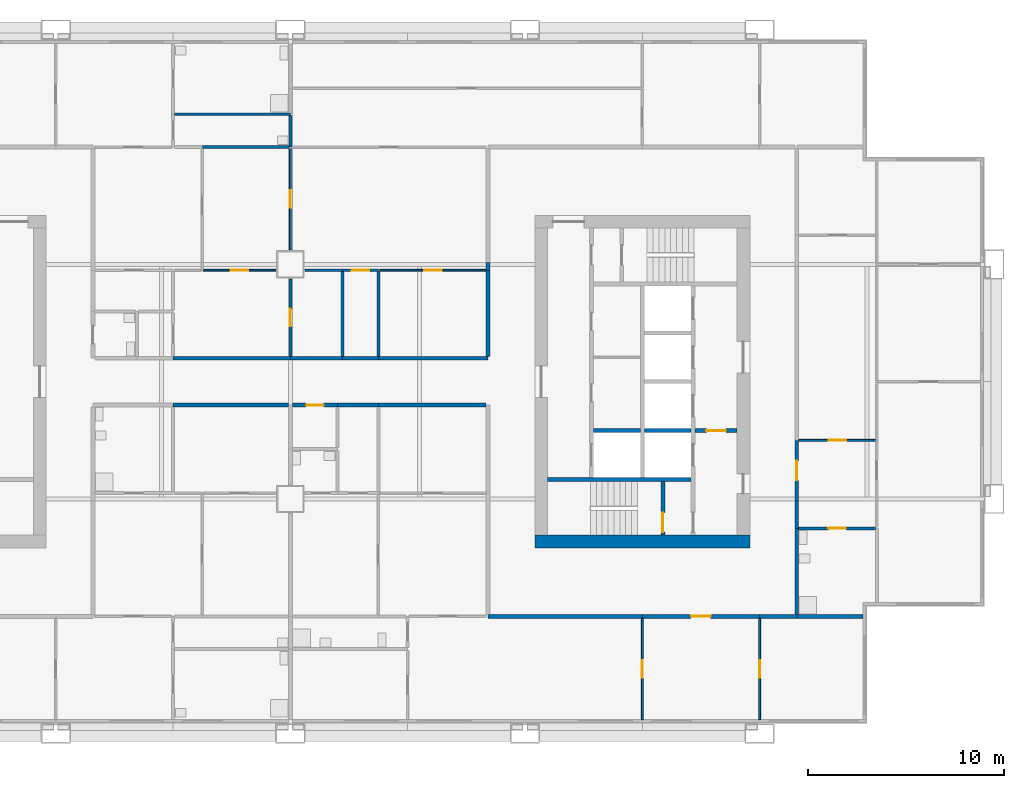
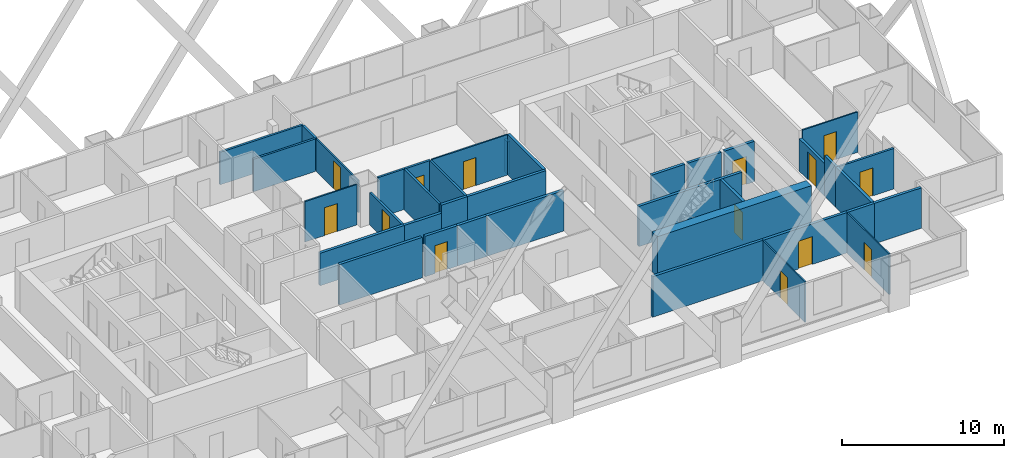
# One storey, part 6 of 11: 38 walls, 14 doors, 14 openings.
"""IFC4 building model written with IfcOpenShell, lengths in metres."""

from ifc_helpers import new_model, si_unit, direction, frame, frame_2d, origin, place, context, subcontext, project, spatial, rectangle, extrude, material, layer, layer_set, type_object, element, fill, save


model = new_model("IFC4")

# Units and contexts
model_context = context("Model", 3, precision=1e-05, world=origin(), true_north=direction((0.0, 1.0)))
body_context = subcontext(model_context, "Body", "Model", "MODEL_VIEW")
ifc_project = project(units=[si_unit("LENGTHUNIT", "METRE"), si_unit("AREAUNIT", "SQUARE_METRE"), si_unit("VOLUMEUNIT", "CUBIC_METRE"), si_unit("PLANEANGLEUNIT", "RADIAN"), si_unit("MASSUNIT", "GRAM", prefix="KILO")], contexts=[model_context])

# Site, building, storey
site_placement = place(None, origin())
site = spatial("IfcSite", under=ifc_project, at=site_placement, CompositionType="ELEMENT")
building_placement = place(site_placement, origin())
building = spatial("IfcBuilding", under=site, at=building_placement, Name="Kitamizu Gate Tower and Museum", CompositionType="ELEMENT")
storey_placement = place(building_placement, frame((0.0, 0.0, 96.60009765625)))
storey = spatial("IfcBuildingStorey", under=building, at=storey_placement, Name="L24", CompositionType="ELEMENT", Elevation=96.60009765625)

# Wall
ifc_material_1 = material(Name="Concrete Fc60", Category="concrete")
ifc_layer_1 = layer(ifc_material_1, 0.64990234375)
ifc_layer_set_1 = layer_set([ifc_layer_1], Name="Concrete Fc60")
wall_type_1 = type_object("IfcWallType", Name="Core wall 650", PredefinedType="SHEAR", material=ifc_layer_set_1)
wall_1_placement = place(storey_placement, frame((59.5, 21.824951171875, 0.0), z_axis=(0.0, 0.0, 1.0), x_axis=(-1.0, 0.0, 0.0)))
element("IfcWall", 1, at=wall_1_placement, inside=storey, type_object=wall_type_1, Name="Core wall ES", PredefinedType="SHEAR", context=body_context, shape_type="SweptSolid", body=[
    extrude(rectangle(XDim=11.0, YDim=0.64990234375, at=frame_2d((5.5, 0.0))), origin(), (0.0, 0.0, 1.0), 3.0498046875),
])

# Wall, opening, door
ifc_material_2 = material(Name="Gypsum board on galvanised stud")
ifc_layer_2 = layer(ifc_material_2, 0.10009765625)
ifc_layer_set_2 = layer_set([ifc_layer_2], Name="Gypsum board on galvanised stud")
wall_type_2 = type_object("IfcWallType", Name="Partition 100 NOT RATED", PredefinedType="PARTITIONING", material=ifc_layer_set_2)
wall_2_placement = place(storey_placement, frame((54.0, 12.719970703125, 0.0), z_axis=(0.0, 0.0, 1.0), x_axis=(0.0, 1.0, 0.0)))
wall_2 = element("IfcWall", 2, at=wall_2_placement, inside=storey, type_object=wall_type_2, Name="Partition L24-054", PredefinedType="PARTITIONING", context=body_context, shape_type="SweptSolid", body=[
    extrude(rectangle(XDim=5.179931640625, YDim=0.10009765625, at=frame_2d((2.58984375, 0.0))), origin(), (0.0, 0.0, 1.0), 3.0498046875),
])
opening_1_placement = place(wall_2_placement, frame((2.139892578125, 0.0, 0.0)))
opening_1 = element("IfcOpeningElement", 3, at=opening_1_placement, cuts=wall_2, Name="Opening L24-019", PredefinedType="OPENING", context=body_context, shape_type="SweptSolid", body=[
    extrude(rectangle(XDim=0.89990234375, YDim=2.10009765625, at=frame_2d((0.449951171875, 1.050048828125))), frame((0.0, 0.06005859375, 0.0), z_axis=(0.0, -1.0, 0.0), x_axis=(1.0, 0.0, 0.0)), (0.0, 0.0, 1.0), 0.1201171875),
])
ifc_material_3 = material(Name="Timber door set", Category="wood")
door_type_1 = type_object("IfcDoorType", Name="Room door 900", OperationType="NOTDEFINED", PredefinedType="DOOR", material=ifc_material_3)
door_1_placement = place(opening_1_placement, origin())
door_1 = element("IfcDoor", 4, at=door_1_placement, inside=storey, type_object=door_type_1, Name="Door L24-019", OperationType="SINGLE_SWING_RIGHT", OverallHeight=2.10009765625, OverallWidth=0.89990234375, PredefinedType="DOOR", context=body_context, shape_type="SweptSolid", body=[
    extrude(rectangle(XDim=0.89990234375, YDim=2.10009765625, at=frame_2d((0.449951171875, 1.050048828125))), frame((0.0, 0.02490234375, 0.0), z_axis=(0.0, -1.0, 0.0), x_axis=(1.0, 0.0, 0.0)), (0.0, 0.0, 1.0), 0.050048828125),
])
fill(opening_1, door_1)

wall_3_placement = place(storey_placement, frame((60.0, 12.719970703125, 0.0), z_axis=(0.0, 0.0, 1.0), x_axis=(0.0, 1.0, 0.0)))
wall_3 = element("IfcWall", 5, at=wall_3_placement, inside=storey, type_object=wall_type_2, Name="Partition L24-057", PredefinedType="PARTITIONING", context=body_context, shape_type="SweptSolid", body=[
    extrude(rectangle(XDim=5.179931640625, YDim=0.10009765625, at=frame_2d((2.58984375, 0.0))), origin(), (0.0, 0.0, 1.0), 3.0498046875),
])
opening_2_placement = place(wall_3_placement, frame((2.139892578125, 0.0, 0.0)))
opening_2 = element("IfcOpeningElement", 6, at=opening_2_placement, cuts=wall_3, Name="Opening L24-020", PredefinedType="OPENING", context=body_context, shape_type="SweptSolid", body=[
    extrude(rectangle(XDim=0.89990234375, YDim=2.10009765625, at=frame_2d((0.449951171875, 1.050048828125))), frame((0.0, 0.06005859375, 0.0), z_axis=(0.0, -1.0, 0.0), x_axis=(1.0, 0.0, 0.0)), (0.0, 0.0, 1.0), 0.1201171875),
])
door_2_placement = place(opening_2_placement, frame((0.89990234375, 0.0, 0.0), x_axis=(-1.0, 0.0, 0.0)))
door_2 = element("IfcDoor", 7, at=door_2_placement, inside=storey, type_object=door_type_1, Name="Door L24-020", OperationType="SINGLE_SWING_RIGHT", OverallHeight=2.10009765625, OverallWidth=0.89990234375, PredefinedType="DOOR", context=body_context, shape_type="SweptSolid", body=[
    extrude(rectangle(XDim=0.89990234375, YDim=2.10009765625, at=frame_2d((0.449951171875, 1.050048828125))), frame((0.0, 0.02490234375, 0.0), z_axis=(0.0, -1.0, 0.0), x_axis=(1.0, 0.0, 0.0)), (0.0, 0.0, 1.0), 0.050048828125),
])
fill(opening_2, door_2)

wall_4_placement = place(storey_placement, frame((65.949951171875, 27.0, 0.0), z_axis=(0.0, 0.0, 1.0), x_axis=(-1.0, 0.0, 0.0)))
wall_4 = element("IfcWall", 8, at=wall_4_placement, inside=storey, type_object=wall_type_2, Name="Partition L24-085", PredefinedType="PARTITIONING", context=body_context, shape_type="SweptSolid", body=[
    extrude(rectangle(XDim=3.949951171875, YDim=0.10009765625, at=frame_2d((1.97509765625, 0.0))), origin(), (0.0, 0.0, 1.0), 3.0498046875),
])
opening_3_placement = place(wall_4_placement, frame((1.52490234375, 0.0, 0.0)))
opening_3 = element("IfcOpeningElement", 9, at=opening_3_placement, cuts=wall_4, Name="Opening L24-031", PredefinedType="OPENING", context=body_context, shape_type="SweptSolid", body=[
    extrude(rectangle(XDim=0.89990234375, YDim=2.10009765625, at=frame_2d((0.449951171875, 1.050048828125))), frame((0.0, 0.06005859375, 0.0), z_axis=(0.0, -1.0, 0.0), x_axis=(1.0, 0.0, 0.0)), (0.0, 0.0, 1.0), 0.1201171875),
])
door_3_placement = place(opening_3_placement, origin())
door_3 = element("IfcDoor", 10, at=door_3_placement, inside=storey, type_object=door_type_1, Name="Door L24-031", OperationType="SINGLE_SWING_LEFT", OverallHeight=2.10009765625, OverallWidth=0.89990234375, PredefinedType="DOOR", context=body_context, shape_type="SweptSolid", body=[
    extrude(rectangle(XDim=0.89990234375, YDim=2.10009765625, at=frame_2d((0.449951171875, 1.050048828125))), frame((0.0, 0.02490234375, 0.0), z_axis=(0.0, -1.0, 0.0), x_axis=(1.0, 0.0, 0.0)), (0.0, 0.0, 1.0), 0.050048828125),
])
fill(opening_3, door_3)

wall_5_placement = place(storey_placement, frame((31.550048828125, 35.699951171875, 0.0), z_axis=(0.0, 0.0, 1.0), x_axis=(1.0, 0.0, 0.0)))
wall_5 = element("IfcWall", 11, at=wall_5_placement, inside=storey, type_object=wall_type_2, Name="Partition L24-122", PredefinedType="PARTITIONING", context=body_context, shape_type="SweptSolid", body=[
    extrude(rectangle(XDim=3.699951171875, YDim=0.10009765625, at=frame_2d((1.85009765625, 0.0))), origin(), (0.0, 0.0, 1.0), 3.0498046875),
])
opening_4_placement = place(wall_5_placement, frame((1.39990234375, 0.0, 0.0)))
opening_4 = element("IfcOpeningElement", 12, at=opening_4_placement, cuts=wall_5, Name="Opening L24-045", PredefinedType="OPENING", context=body_context, shape_type="SweptSolid", body=[
    extrude(rectangle(XDim=0.89990234375, YDim=2.10009765625, at=frame_2d((0.449951171875, 1.050048828125))), frame((0.0, 0.06005859375, 0.0), z_axis=(0.0, -1.0, 0.0), x_axis=(1.0, 0.0, 0.0)), (0.0, 0.0, 1.0), 0.1201171875),
])
door_4_placement = place(opening_4_placement, frame((0.89990234375, 0.0, 0.0), x_axis=(-1.0, 0.0, 0.0)))
door_4 = element("IfcDoor", 13, at=door_4_placement, inside=storey, type_object=door_type_1, Name="Door L24-045", OperationType="SINGLE_SWING_RIGHT", OverallHeight=2.10009765625, OverallWidth=0.89990234375, PredefinedType="DOOR", context=body_context, shape_type="SweptSolid", body=[
    extrude(rectangle(XDim=0.89990234375, YDim=2.10009765625, at=frame_2d((0.449951171875, 1.050048828125))), frame((0.0, 0.02490234375, 0.0), z_axis=(0.0, -1.0, 0.0), x_axis=(1.0, 0.0, 0.0)), (0.0, 0.0, 1.0), 0.050048828125),
])
fill(opening_4, door_4)

wall_6_placement = place(storey_placement, frame((36.0, 36.75, 0.0), z_axis=(0.0, 0.0, 1.0), x_axis=(0.0, 1.0, 0.0)))
wall_6 = element("IfcWall", 14, at=wall_6_placement, inside=storey, type_object=wall_type_2, Name="Partition L24-123", PredefinedType="PARTITIONING", context=body_context, shape_type="SweptSolid", body=[
    extrude(rectangle(XDim=5.175048828125, YDim=0.10009765625, at=frame_2d((2.58740234375, 0.0))), origin(), (0.0, 0.0, 1.0), 2.449951171875),
])
opening_5_placement = place(wall_6_placement, frame((2.137451171875, 0.0, 0.0)))
opening_5 = element("IfcOpeningElement", 15, at=opening_5_placement, cuts=wall_6, Name="Opening L24-046", PredefinedType="OPENING", context=body_context, shape_type="SweptSolid", body=[
    extrude(rectangle(XDim=0.89990234375, YDim=2.10009765625, at=frame_2d((0.449951171875, 1.050048828125))), frame((0.0, 0.06005859375, 0.0), z_axis=(0.0, -1.0, 0.0), x_axis=(1.0, 0.0, 0.0)), (0.0, 0.0, 1.0), 0.1201171875),
])
door_5_placement = place(opening_5_placement, origin())
door_5 = element("IfcDoor", 16, at=door_5_placement, inside=storey, type_object=door_type_1, Name="Door L24-046", OperationType="SINGLE_SWING_LEFT", OverallHeight=2.10009765625, OverallWidth=0.89990234375, PredefinedType="DOOR", context=body_context, shape_type="SweptSolid", body=[
    extrude(rectangle(XDim=0.89990234375, YDim=2.10009765625, at=frame_2d((0.449951171875, 1.050048828125))), frame((0.0, 0.02490234375, 0.0), z_axis=(0.0, -1.0, 0.0), x_axis=(1.0, 0.0, 0.0)), (0.0, 0.0, 1.0), 0.050048828125),
])
fill(opening_5, door_5)

wall_7_placement = place(storey_placement, frame((40.574951171875, 35.699951171875, 0.0), z_axis=(0.0, 0.0, 1.0), x_axis=(1.0, 0.0, 0.0)))
wall_7 = element("IfcWall", 17, at=wall_7_placement, inside=storey, type_object=wall_type_2, Name="Partition L24-137", PredefinedType="PARTITIONING", context=body_context, shape_type="SweptSolid", body=[
    extrude(rectangle(XDim=5.425048828125, YDim=0.10009765625, at=frame_2d((2.71240234375, 0.0))), origin(), (0.0, 0.0, 1.0), 3.0498046875),
])
opening_6_placement = place(wall_7_placement, frame((2.262451171875, 0.0, 0.0)))
opening_6 = element("IfcOpeningElement", 18, at=opening_6_placement, cuts=wall_7, Name="Opening L24-049", PredefinedType="OPENING", context=body_context, shape_type="SweptSolid", body=[
    extrude(rectangle(XDim=0.89990234375, YDim=2.10009765625, at=frame_2d((0.449951171875, 1.050048828125))), frame((0.0, 0.06005859375, 0.0), z_axis=(0.0, -1.0, 0.0), x_axis=(1.0, 0.0, 0.0)), (0.0, 0.0, 1.0), 0.1201171875),
])
door_6_placement = place(opening_6_placement, frame((0.89990234375, 0.0, 0.0), x_axis=(-1.0, 0.0, 0.0)))
door_6 = element("IfcDoor", 19, at=door_6_placement, inside=storey, type_object=door_type_1, Name="Door L24-049", OperationType="SINGLE_SWING_LEFT", OverallHeight=2.10009765625, OverallWidth=0.89990234375, PredefinedType="DOOR", context=body_context, shape_type="SweptSolid", body=[
    extrude(rectangle(XDim=0.89990234375, YDim=2.10009765625, at=frame_2d((0.449951171875, 1.050048828125))), frame((0.0, 0.02490234375, 0.0), z_axis=(0.0, -1.0, 0.0), x_axis=(1.0, 0.0, 0.0)), (0.0, 0.0, 1.0), 0.050048828125),
])
fill(opening_6, door_6)

ifc_material_4 = material(Name="Gypsum board on galvanised stud")
ifc_layer_3 = layer(ifc_material_4, 0.14990234375)
ifc_layer_set_3 = layer_set([ifc_layer_3], Name="Gypsum board on galvanised stud")
wall_type_3 = type_object("IfcWallType", Name="Partition 150", PredefinedType="PARTITIONING", material=ifc_layer_set_3)
wall_8_placement = place(storey_placement, frame((65.925048828125, 22.5, 0.0), z_axis=(0.0, 0.0, 1.0), x_axis=(-1.0, 0.0, 0.0)))
wall_8 = element("IfcWall", 20, at=wall_8_placement, inside=storey, type_object=wall_type_3, Name="Partition L24-083", PredefinedType="PARTITIONING", context=body_context, shape_type="SweptSolid", body=[
    extrude(rectangle(XDim=3.925048828125, YDim=0.14990234375, at=frame_2d((1.96240234375, 0.0))), origin(), (0.0, 0.0, 1.0), 3.0498046875),
])
opening_7_placement = place(wall_8_placement, frame((1.512451171875, 0.0, 0.0)))
opening_7 = element("IfcOpeningElement", 21, at=opening_7_placement, cuts=wall_8, Name="Opening L24-033", PredefinedType="OPENING", context=body_context, shape_type="SweptSolid", body=[
    extrude(rectangle(XDim=0.89990234375, YDim=2.10009765625, at=frame_2d((0.449951171875, 1.050048828125))), frame((0.0, 0.0849609375, 0.0), z_axis=(0.0, -1.0, 0.0), x_axis=(1.0, 0.0, 0.0)), (0.0, 0.0, 1.0), 0.169921875),
])
ifc_material_5 = material(Name="Timber door set", Category="wood")
door_type_2 = type_object("IfcDoorType", Name="Bathroom door 900", OperationType="NOTDEFINED", PredefinedType="DOOR", material=ifc_material_5)
door_7_placement = place(opening_7_placement, origin())
door_7 = element("IfcDoor", 22, at=door_7_placement, inside=storey, type_object=door_type_2, Name="Bathroom door L24-033", OperationType="SINGLE_SWING_LEFT", OverallHeight=2.10009765625, OverallWidth=0.89990234375, PredefinedType="DOOR", context=body_context, shape_type="SweptSolid", body=[
    extrude(rectangle(XDim=0.89990234375, YDim=2.10009765625, at=frame_2d((0.449951171875, 1.050048828125))), frame((0.0, 0.02490234375, 0.0), z_axis=(0.0, -1.0, 0.0), x_axis=(1.0, 0.0, 0.0)), (0.0, 0.0, 1.0), 0.050048828125),
])
fill(opening_7, door_7)

# Walls
wall_9_placement = place(storey_placement, frame((30.074951171875, 43.679931640625, 0.0), z_axis=(0.0, 0.0, 1.0), x_axis=(1.0, 0.0, 0.0)))
element("IfcWall", 23, at=wall_9_placement, inside=storey, type_object=wall_type_3, Name="Partition L24-103", PredefinedType="PARTITIONING", context=body_context, shape_type="SweptSolid", body=[
    extrude(rectangle(XDim=5.925048828125, YDim=0.14990234375, at=frame_2d((2.96240234375, 0.0))), origin(), (0.0, 0.0, 1.0), 2.449951171875),
])
wall_10_placement = place(storey_placement, frame((36.0, 42.0, 0.0), z_axis=(0.0, 0.0, 1.0), x_axis=(0.0, 1.0, 0.0)))
element("IfcWall", 24, at=wall_10_placement, inside=storey, type_object=wall_type_3, Name="Partition L24-106", PredefinedType="PARTITIONING", context=body_context, shape_type="SweptSolid", body=[
    extrude(rectangle(XDim=1.60498046875, YDim=0.14990234375, at=frame_2d((0.802490234375, 0.0))), origin(), (0.0, 0.0, 1.0), 2.449951171875),
])
wall_11_placement = place(storey_placement, frame((31.5, 42.0, 0.0), z_axis=(0.0, 0.0, 1.0), x_axis=(1.0, 0.0, 0.0)))
element("IfcWall", 25, at=wall_11_placement, inside=storey, type_object=wall_type_3, Name="Partition L24-108", PredefinedType="PARTITIONING", context=body_context, shape_type="SweptSolid", body=[
    extrude(rectangle(XDim=4.425048828125, YDim=0.14990234375, at=frame_2d((2.21240234375, 0.0))), origin(), (0.0, 0.0, 1.0), 2.449951171875),
])

# Wall, opening, door
wall_12_placement = place(storey_placement, frame((36.0, 31.300048828125, 0.0), z_axis=(0.0, 0.0, 1.0), x_axis=(0.0, 1.0, 0.0)))
wall_12 = element("IfcWall", 26, at=wall_12_placement, inside=storey, type_object=wall_type_3, Name="Partition L24-133", PredefinedType="PARTITIONING", context=body_context, shape_type="SweptSolid", body=[
    extrude(rectangle(XDim=3.949951171875, YDim=0.14990234375, at=frame_2d((1.97509765625, 0.0))), origin(), (0.0, 0.0, 1.0), 2.449951171875),
])
opening_8_placement = place(wall_12_placement, frame((1.52490234375, 0.0, 0.0)))
opening_8 = element("IfcOpeningElement", 27, at=opening_8_placement, cuts=wall_12, Name="Opening L24-047", PredefinedType="OPENING", context=body_context, shape_type="SweptSolid", body=[
    extrude(rectangle(XDim=0.89990234375, YDim=2.10009765625, at=frame_2d((0.449951171875, 1.050048828125))), frame((0.0, 0.0849609375, 0.0), z_axis=(0.0, -1.0, 0.0), x_axis=(1.0, 0.0, 0.0)), (0.0, 0.0, 1.0), 0.169921875),
])
door_8_placement = place(opening_8_placement, frame((0.89990234375, 0.0, 0.0), x_axis=(-1.0, 0.0, 0.0)))
door_8 = element("IfcDoor", 28, at=door_8_placement, inside=storey, type_object=door_type_2, Name="Bathroom door L24-047", OperationType="SINGLE_SWING_LEFT", OverallHeight=2.10009765625, OverallWidth=0.89990234375, PredefinedType="DOOR", context=body_context, shape_type="SweptSolid", body=[
    extrude(rectangle(XDim=0.89990234375, YDim=2.10009765625, at=frame_2d((0.449951171875, 1.050048828125))), frame((0.0, 0.02490234375, 0.0), z_axis=(0.0, -1.0, 0.0), x_axis=(1.0, 0.0, 0.0)), (0.0, 0.0, 1.0), 0.050048828125),
])
fill(opening_8, door_8)

# Wall
wall_13_placement = place(storey_placement, frame((36.75, 35.699951171875, 0.0), z_axis=(0.0, 0.0, 1.0), x_axis=(1.0, 0.0, 0.0)))
element("IfcWall", 29, at=wall_13_placement, inside=storey, type_object=wall_type_3, Name="Partition L24-135", PredefinedType="PARTITIONING", context=body_context, shape_type="SweptSolid", body=[
    extrude(rectangle(XDim=1.9169921875, YDim=0.14990234375, at=frame_2d((0.95849609375, 0.0))), origin(), (0.0, 0.0, 1.0), 3.0498046875),
])

# Wall, opening, door
wall_14_placement = place(storey_placement, frame((38.6669921875, 35.699951171875, 0.0), z_axis=(0.0, 0.0, 1.0), x_axis=(1.0, 0.0, 0.0)))
wall_14 = element("IfcWall", 30, at=wall_14_placement, inside=storey, type_object=wall_type_3, Name="Partition L24-136", PredefinedType="PARTITIONING", context=body_context, shape_type="SweptSolid", body=[
    extrude(rectangle(XDim=1.8330078125, YDim=0.14990234375, at=frame_2d((0.91650390625, 0.0))), origin(), (0.0, 0.0, 1.0), 3.0498046875),
])
opening_9_placement = place(wall_14_placement, frame((0.466552734375, 0.0, 0.0)))
opening_9 = element("IfcOpeningElement", 31, at=opening_9_placement, cuts=wall_14, Name="Opening L24-048", PredefinedType="OPENING", context=body_context, shape_type="SweptSolid", body=[
    extrude(rectangle(XDim=0.89990234375, YDim=2.10009765625, at=frame_2d((0.449951171875, 1.050048828125))), frame((0.0, 0.0849609375, 0.0), z_axis=(0.0, -1.0, 0.0), x_axis=(1.0, 0.0, 0.0)), (0.0, 0.0, 1.0), 0.169921875),
])
door_9_placement = place(opening_9_placement, frame((0.89990234375, 0.0, 0.0), x_axis=(-1.0, 0.0, 0.0)))
door_9 = element("IfcDoor", 32, at=door_9_placement, inside=storey, type_object=door_type_2, Name="Bathroom door L24-048", OperationType="SINGLE_SWING_RIGHT", OverallHeight=2.10009765625, OverallWidth=0.89990234375, PredefinedType="DOOR", context=body_context, shape_type="SweptSolid", body=[
    extrude(rectangle(XDim=0.89990234375, YDim=2.10009765625, at=frame_2d((0.449951171875, 1.050048828125))), frame((0.0, 0.02490234375, 0.0), z_axis=(0.0, -1.0, 0.0), x_axis=(1.0, 0.0, 0.0)), (0.0, 0.0, 1.0), 0.050048828125),
])
fill(opening_9, door_9)

# Walls
for number, where, z_axis, x_axis, name in (
    (33, (38.6669921875, 31.300048828125, 0.0), (0.0, 0.0, 1.0), (0.0, 1.0, 0.0), "Partition L24-140"),
    (34, (40.5, 31.300048828125, 0.0), (0.0, 0.0, 1.0), (0.0, 1.0, 0.0), "Partition L24-142"),
):
    element("IfcWall", number, at=place(storey_placement, frame(where, z_axis=z_axis, x_axis=x_axis)), inside=storey, type_object=wall_type_3, Name=name, PredefinedType="PARTITIONING", context=body_context, shape_type="SweptSolid", body=[
        extrude(rectangle(XDim=4.324951171875, YDim=0.14990234375, at=frame_2d((2.16259765625, 0.0))), origin(), (0.0, 0.0, 1.0), 3.0498046875),
    ])
ifc_material_6 = material(Name="Gypsum board on galvanised stud")
ifc_layer_4 = layer(ifc_material_6, 0.199951171875)
ifc_layer_set_4 = layer_set([ifc_layer_4], Name="Gypsum board on galvanised stud")
wall_type_4 = type_object("IfcWallType", Name="Partition 200", PredefinedType="PARTITIONING", material=ifc_layer_set_4)
wall_15_placement = place(storey_placement, frame((35.89990234375, 28.800048828125, 0.0), z_axis=(0.0, 0.0, 1.0), x_axis=(-1.0, 0.0, 0.0)))
element("IfcWall", 35, at=wall_15_placement, inside=storey, type_object=wall_type_4, Name="Partition L24-029", PredefinedType="PARTITIONING", context=body_context, shape_type="SweptSolid", body=[
    extrude(rectangle(XDim=5.89990234375, YDim=0.199951171875, at=frame_2d((2.949951171875, 0.0))), origin(), (0.0, 0.0, 1.0), 3.0498046875),
])
wall_16_placement = place(storey_placement, frame((54.0, 18.0, 0.0), z_axis=(0.0, 0.0, 1.0), x_axis=(-1.0, 0.0, 0.0)))
element("IfcWall", 36, at=wall_16_placement, inside=storey, type_object=wall_type_4, Name="Partition L24-056", PredefinedType="PARTITIONING", context=body_context, shape_type="SweptSolid", body=[
    extrude(rectangle(XDim=7.89990234375, YDim=0.199951171875, at=frame_2d((3.949951171875, 0.0))), origin(), (0.0, 0.0, 1.0), 3.0498046875),
])

# Wall, opening, door
wall_17_placement = place(storey_placement, frame((60.0, 18.0, 0.0), z_axis=(0.0, 0.0, 1.0), x_axis=(-1.0, 0.0, 0.0)))
wall_17 = element("IfcWall", 37, at=wall_17_placement, inside=storey, type_object=wall_type_4, Name="Partition L24-058", PredefinedType="PARTITIONING", context=body_context, shape_type="SweptSolid", body=[
    extrude(rectangle(XDim=6.0, YDim=0.199951171875, at=frame_2d((3.0, 0.0))), origin(), (0.0, 0.0, 1.0), 3.0498046875),
])
opening_10_placement = place(wall_17_placement, frame((2.5, 0.0, 0.0)))
opening_10 = element("IfcOpeningElement", 38, at=opening_10_placement, cuts=wall_17, Name="Opening L24-018", PredefinedType="OPENING", context=body_context, shape_type="SweptSolid", body=[
    extrude(rectangle(XDim=1.0, YDim=2.10009765625, at=frame_2d((0.5, 1.050048828125))), frame((0.0, 0.10986328125, 0.0), z_axis=(0.0, -1.0, 0.0), x_axis=(1.0, 0.0, 0.0)), (0.0, 0.0, 1.0), 0.219970703125),
])
ifc_material_7 = material(Name="Timber door set", Category="wood")
door_type_3 = type_object("IfcDoorType", Name="Flat entrance door 1000", OperationType="NOTDEFINED", PredefinedType="DOOR", material=ifc_material_7)
door_10_placement = place(opening_10_placement, origin())
door_10 = element("IfcDoor", 39, at=door_10_placement, inside=storey, type_object=door_type_3, Name="Flat entrance door L24-018", OperationType="SINGLE_SWING_LEFT", OverallHeight=2.10009765625, OverallWidth=1.0, PredefinedType="DOOR", context=body_context, shape_type="SweptSolid", body=[
    extrude(rectangle(XDim=1.0, YDim=2.10009765625, at=frame_2d((0.5, 1.050048828125))), frame((0.0, 0.02490234375, 0.0), z_axis=(0.0, -1.0, 0.0), x_axis=(1.0, 0.0, 0.0)), (0.0, 0.0, 1.0), 0.050048828125),
])
fill(opening_10, door_10)

# Walls
wall_18_placement = place(storey_placement, frame((65.280029296875, 18.0, 0.0), z_axis=(0.0, 0.0, 1.0), x_axis=(-1.0, 0.0, 0.0)))
element("IfcWall", 40, at=wall_18_placement, inside=storey, type_object=wall_type_4, Name="Partition L24-059", PredefinedType="PARTITIONING", context=body_context, shape_type="SweptSolid", body=[
    extrude(rectangle(XDim=3.380126953125, YDim=0.199951171875, at=frame_2d((1.68994140625, 0.0))), origin(), (0.0, 0.0, 1.0), 3.0498046875),
])
wall_19_placement = place(storey_placement, frame((61.89990234375, 18.0, 0.0), z_axis=(0.0, 0.0, 1.0), x_axis=(-1.0, 0.0, 0.0)))
element("IfcWall", 41, at=wall_19_placement, inside=storey, type_object=wall_type_4, Name="Partition L24-060", PredefinedType="PARTITIONING", context=body_context, shape_type="SweptSolid", body=[
    extrude(rectangle(XDim=1.89990234375, YDim=0.199951171875, at=frame_2d((0.949951171875, 0.0))), origin(), (0.0, 0.0, 1.0), 3.0498046875),
])

# Wall, opening, door
wall_20_placement = place(storey_placement, frame((38.39990234375, 28.800048828125, 0.0), z_axis=(0.0, 0.0, 1.0), x_axis=(-1.0, 0.0, 0.0)))
wall_20 = element("IfcWall", 42, at=wall_20_placement, inside=storey, type_object=wall_type_4, Name="Partition L24-069", PredefinedType="PARTITIONING", context=body_context, shape_type="SweptSolid", body=[
    extrude(rectangle(XDim=2.2998046875, YDim=0.199951171875, at=frame_2d((1.14990234375, 0.0))), origin(), (0.0, 0.0, 1.0), 3.0498046875),
])
opening_11_placement = place(wall_20_placement, frame((0.699951171875, 0.0, 0.0)))
opening_11 = element("IfcOpeningElement", 43, at=opening_11_placement, cuts=wall_20, Name="Opening L24-028", PredefinedType="OPENING", context=body_context, shape_type="SweptSolid", body=[
    extrude(rectangle(XDim=0.89990234375, YDim=2.10009765625, at=frame_2d((0.449951171875, 1.050048828125))), frame((0.0, 0.10986328125, 0.0), z_axis=(0.0, -1.0, 0.0), x_axis=(1.0, 0.0, 0.0)), (0.0, 0.0, 1.0), 0.219970703125),
])
ifc_material_8 = material(Name="Timber door set", Category="wood")
door_type_4 = type_object("IfcDoorType", Name="Store door 900", OperationType="NOTDEFINED", PredefinedType="DOOR", material=ifc_material_8)
door_11_placement = place(opening_11_placement, origin())
door_11 = element("IfcDoor", 44, at=door_11_placement, inside=storey, type_object=door_type_4, Name="Service entrance door L24-028", OperationType="SINGLE_SWING_LEFT", OverallHeight=2.10009765625, OverallWidth=0.89990234375, PredefinedType="DOOR", context=body_context, shape_type="SweptSolid", body=[
    extrude(rectangle(XDim=0.89990234375, YDim=2.10009765625, at=frame_2d((0.449951171875, 1.050048828125))), frame((0.0, 0.02490234375, 0.0), z_axis=(0.0, -1.0, 0.0), x_axis=(1.0, 0.0, 0.0)), (0.0, 0.0, 1.0), 0.050048828125),
])
fill(opening_11, door_11)

# Walls
wall_21_placement = place(storey_placement, frame((40.5, 28.800048828125, 0.0), z_axis=(0.0, 0.0, 1.0), x_axis=(-1.0, 0.0, 0.0)))
element("IfcWall", 45, at=wall_21_placement, inside=storey, type_object=wall_type_4, Name="Partition L24-071", PredefinedType="PARTITIONING", context=body_context, shape_type="SweptSolid", body=[
    extrude(rectangle(XDim=2.10009765625, YDim=0.199951171875, at=frame_2d((1.050048828125, 0.0))), origin(), (0.0, 0.0, 1.0), 3.0498046875),
])
wall_22_placement = place(storey_placement, frame((46.0, 28.800048828125, 0.0), z_axis=(0.0, 0.0, 1.0), x_axis=(-1.0, 0.0, 0.0)))
element("IfcWall", 46, at=wall_22_placement, inside=storey, type_object=wall_type_4, Name="Partition L24-073", PredefinedType="PARTITIONING", context=body_context, shape_type="SweptSolid", body=[
    extrude(rectangle(XDim=5.5, YDim=0.199951171875, at=frame_2d((2.75, 0.0))), origin(), (0.0, 0.0, 1.0), 3.0498046875),
])
wall_23_placement = place(storey_placement, frame((61.89990234375, 22.5, 0.0), z_axis=(0.0, 0.0, 1.0), x_axis=(0.0, -1.0, 0.0)))
element("IfcWall", 47, at=wall_23_placement, inside=storey, type_object=wall_type_4, Name="Partition L24-084", PredefinedType="PARTITIONING", context=body_context, shape_type="SweptSolid", body=[
    extrude(rectangle(XDim=4.39990234375, YDim=0.199951171875, at=frame_2d((2.199951171875, 0.0))), origin(), (0.0, 0.0, 1.0), 3.0498046875),
])

# Wall, opening, door
wall_24_placement = place(storey_placement, frame((61.89990234375, 27.0, 0.0), z_axis=(0.0, 0.0, 1.0), x_axis=(0.0, -1.0, 0.0)))
wall_24 = element("IfcWall", 48, at=wall_24_placement, inside=storey, type_object=wall_type_4, Name="Partition L24-086", PredefinedType="PARTITIONING", context=body_context, shape_type="SweptSolid", body=[
    extrude(rectangle(XDim=3.10009765625, YDim=0.199951171875, at=frame_2d((1.550048828125, 0.0))), origin(), (0.0, 0.0, 1.0), 2.449951171875),
])
opening_12_placement = place(wall_24_placement, frame((1.050048828125, 0.0, 0.0)))
opening_12 = element("IfcOpeningElement", 49, at=opening_12_placement, cuts=wall_24, Name="Opening L24-029", PredefinedType="OPENING", context=body_context, shape_type="SweptSolid", body=[
    extrude(rectangle(XDim=1.0, YDim=2.10009765625, at=frame_2d((0.5, 1.050048828125))), frame((0.0, 0.10986328125, 0.0), z_axis=(0.0, -1.0, 0.0), x_axis=(1.0, 0.0, 0.0)), (0.0, 0.0, 1.0), 0.219970703125),
])
door_12_placement = place(opening_12_placement, origin())
door_12 = element("IfcDoor", 50, at=door_12_placement, inside=storey, type_object=door_type_3, Name="Flat entrance door L24-029", OperationType="SINGLE_SWING_RIGHT", OverallHeight=2.10009765625, OverallWidth=1.0, PredefinedType="DOOR", context=body_context, shape_type="SweptSolid", body=[
    extrude(rectangle(XDim=1.0, YDim=2.10009765625, at=frame_2d((0.5, 1.050048828125))), frame((0.0, 0.02490234375, 0.0), z_axis=(0.0, -1.0, 0.0), x_axis=(1.0, 0.0, 0.0)), (0.0, 0.0, 1.0), 0.050048828125),
])
fill(opening_12, door_12)

# Walls
wall_25_placement = place(storey_placement, frame((61.89990234375, 23.89990234375, 0.0), z_axis=(0.0, 0.0, 1.0), x_axis=(0.0, -1.0, 0.0)))
element("IfcWall", 51, at=wall_25_placement, inside=storey, type_object=wall_type_4, Name="Partition L24-087", PredefinedType="PARTITIONING", context=body_context, shape_type="SweptSolid", body=[
    extrude(rectangle(XDim=1.39990234375, YDim=0.199951171875, at=frame_2d((0.699951171875, 0.0))), origin(), (0.0, 0.0, 1.0), 3.0498046875),
])
wall_26_placement = place(storey_placement, frame((30.0, 31.199951171875, 0.0), z_axis=(0.0, 0.0, 1.0), x_axis=(1.0, 0.0, 0.0)))
element("IfcWall", 52, at=wall_26_placement, inside=storey, type_object=wall_type_4, Name="Partition L24-134", PredefinedType="PARTITIONING", context=body_context, shape_type="SweptSolid", body=[
    extrude(rectangle(XDim=6.0, YDim=0.199951171875, at=frame_2d((3.0, 0.0))), origin(), (0.0, 0.0, 1.0), 2.449951171875),
])
wall_27_placement = place(storey_placement, frame((46.10009765625, 35.699951171875, 0.0), z_axis=(0.0, 0.0, 1.0), x_axis=(0.0, 1.0, 0.0)))
element("IfcWall", 53, at=wall_27_placement, inside=storey, type_object=wall_type_4, Name="Partition L24-138", PredefinedType="PARTITIONING", context=body_context, shape_type="SweptSolid", body=[
    extrude(rectangle(XDim=0.400146484375, YDim=0.199951171875, at=frame_2d((0.2001953125, 0.0))), origin(), (0.0, 0.0, 1.0), 2.449951171875),
])
wall_28_placement = place(storey_placement, frame((36.0, 31.199951171875, 0.0), z_axis=(0.0, 0.0, 1.0), x_axis=(1.0, 0.0, 0.0)))
element("IfcWall", 54, at=wall_28_placement, inside=storey, type_object=wall_type_4, Name="Partition L24-141", PredefinedType="PARTITIONING", context=body_context, shape_type="SweptSolid", body=[
    extrude(rectangle(XDim=2.6669921875, YDim=0.199951171875, at=frame_2d((1.33349609375, 0.0))), origin(), (0.0, 0.0, 1.0), 2.449951171875),
])
wall_29_placement = place(storey_placement, frame((38.6669921875, 31.199951171875, 0.0), z_axis=(0.0, 0.0, 1.0), x_axis=(1.0, 0.0, 0.0)))
element("IfcWall", 55, at=wall_29_placement, inside=storey, type_object=wall_type_4, Name="Partition L24-143", PredefinedType="PARTITIONING", context=body_context, shape_type="SweptSolid", body=[
    extrude(rectangle(XDim=1.8330078125, YDim=0.199951171875, at=frame_2d((0.91650390625, 0.0))), origin(), (0.0, 0.0, 1.0), 3.0498046875),
])
wall_30_placement = place(storey_placement, frame((40.5, 31.199951171875, 0.0), z_axis=(0.0, 0.0, 1.0), x_axis=(1.0, 0.0, 0.0)))
element("IfcWall", 56, at=wall_30_placement, inside=storey, type_object=wall_type_4, Name="Partition L24-144", PredefinedType="PARTITIONING", context=body_context, shape_type="SweptSolid", body=[
    extrude(rectangle(XDim=5.60009765625, YDim=0.199951171875, at=frame_2d((2.800048828125, 0.0))), origin(), (0.0, 0.0, 1.0), 3.0498046875),
])
wall_31_placement = place(storey_placement, frame((46.10009765625, 31.300048828125, 0.0), z_axis=(0.0, 0.0, 1.0), x_axis=(0.0, 1.0, 0.0)))
element("IfcWall", 57, at=wall_31_placement, inside=storey, type_object=wall_type_4, Name="Partition L24-145", PredefinedType="PARTITIONING", context=body_context, shape_type="SweptSolid", body=[
    extrude(rectangle(XDim=4.39990234375, YDim=0.199951171875, at=frame_2d((2.199951171875, 0.0))), origin(), (0.0, 0.0, 1.0), 3.0498046875),
])
ifc_material_9 = material(Name="Concrete Fc42", Category="concrete")
ifc_layer_5 = layer(ifc_material_9, 0.199951171875)
ifc_layer_set_5 = layer_set([ifc_layer_5], Name="Concrete Fc42")
wall_type_5 = type_object("IfcWallType", Name="Shaft wall 200", PredefinedType="SOLIDWALL", material=ifc_layer_set_5)
wall_32_placement = place(storey_placement, frame((56.5, 25.0, 0.0), z_axis=(0.0, 0.0, 1.0), x_axis=(-1.0, 0.0, 0.0)))
element("IfcWall", 58, at=wall_32_placement, inside=storey, type_object=wall_type_5, Name="Shaft wall ESB", PredefinedType="SOLIDWALL", context=body_context, shape_type="SweptSolid", body=[
    extrude(rectangle(XDim=7.35009765625, YDim=0.199951171875, at=frame_2d((3.675048828125, 0.0))), origin(), (0.0, 0.0, 1.0), 3.0498046875),
])

# Wall, opening, door
wall_33_placement = place(storey_placement, frame((58.85009765625, 27.5, 0.0), z_axis=(0.0, 0.0, 1.0), x_axis=(-1.0, 0.0, 0.0)))
wall_33 = element("IfcWall", 59, at=wall_33_placement, inside=storey, type_object=wall_type_5, Name="Shaft wall EFFN", PredefinedType="SOLIDWALL", context=body_context, shape_type="SweptSolid", body=[
    extrude(rectangle(XDim=2.150146484375, YDim=0.199951171875, at=frame_2d((1.0751953125, 0.0))), origin(), (0.0, 0.0, 1.0), 3.0498046875),
])
opening_13_placement = place(wall_33_placement, frame((0.574951171875, 0.0, 0.0)))
opening_13 = element("IfcOpeningElement", 60, at=opening_13_placement, cuts=wall_33, Name="Opening L24-071", PredefinedType="OPENING", context=body_context, shape_type="SweptSolid", body=[
    extrude(rectangle(XDim=1.0, YDim=2.10009765625, at=frame_2d((0.5, 1.050048828125))), frame((0.0, 0.10986328125, 0.0), z_axis=(0.0, -1.0, 0.0), x_axis=(1.0, 0.0, 0.0)), (0.0, 0.0, 1.0), 0.219970703125),
])
ifc_material_10 = material(Name="Hollow metal door set")
door_type_5 = type_object("IfcDoorType", Name="Fire door 1000", OperationType="NOTDEFINED", PredefinedType="DOOR", material=ifc_material_10)
door_13_placement = place(opening_13_placement, origin())
door_13 = element("IfcDoor", 61, at=door_13_placement, inside=storey, type_object=door_type_5, Name="Fire-fighting lobby door L24-071", OperationType="SINGLE_SWING_RIGHT", OverallHeight=2.10009765625, OverallWidth=1.0, PredefinedType="DOOR", context=body_context, shape_type="SweptSolid", body=[
    extrude(rectangle(XDim=1.0, YDim=2.10009765625, at=frame_2d((0.5, 1.050048828125))), frame((0.0, 0.02490234375, 0.0), z_axis=(0.0, -1.0, 0.0), x_axis=(1.0, 0.0, 0.0)), (0.0, 0.0, 1.0), 0.050048828125),
])
fill(opening_13, door_13)

wall_34_placement = place(storey_placement, frame((55.050048828125, 22.14990234375, 0.0), z_axis=(0.0, 0.0, 1.0), x_axis=(0.0, 1.0, 0.0)))
wall_34 = element("IfcWall", 62, at=wall_34_placement, inside=storey, type_object=wall_type_5, Name="Shaft wall ESZ", PredefinedType="SOLIDWALL", context=body_context, shape_type="SweptSolid", body=[
    extrude(rectangle(XDim=2.75, YDim=0.199951171875, at=frame_2d((1.375, 0.0))), origin(), (0.0, 0.0, 1.0), 3.0498046875),
])
opening_14_placement = place(wall_34_placement, frame((0.14990234375, 0.0, 0.0)))
opening_14 = element("IfcOpeningElement", 63, at=opening_14_placement, cuts=wall_34, Name="Opening L24-067", PredefinedType="OPENING", context=body_context, shape_type="SweptSolid", body=[
    extrude(rectangle(XDim=1.0, YDim=2.10009765625, at=frame_2d((0.5, 1.050048828125))), frame((0.0, 0.10986328125, 0.0), z_axis=(0.0, -1.0, 0.0), x_axis=(1.0, 0.0, 0.0)), (0.0, 0.0, 1.0), 0.219970703125),
])
door_14_placement = place(opening_14_placement, origin())
door_14 = element("IfcDoor", 64, at=door_14_placement, inside=storey, type_object=door_type_5, Name="Stair door L24-067", OperationType="SINGLE_SWING_RIGHT", OverallHeight=2.10009765625, OverallWidth=1.0, PredefinedType="DOOR", context=body_context, shape_type="SweptSolid", body=[
    extrude(rectangle(XDim=1.0, YDim=2.10009765625, at=frame_2d((0.5, 1.050048828125))), frame((0.0, 0.02490234375, 0.0), z_axis=(0.0, -1.0, 0.0), x_axis=(1.0, 0.0, 0.0)), (0.0, 0.0, 1.0), 0.050048828125),
])
fill(opening_14, door_14)

# Walls
for number, where, z_axis, x_axis, name in (
    (65, (56.5, 27.5, 0.0), (0.0, 0.0, 1.0), (-1.0, 0.0, 0.0), "Shaft wall EDVW0"),
    (66, (53.89990234375, 27.5, 0.0), (0.0, 0.0, 1.0), (-1.0, 0.0, 0.0), "Shaft wall EDVE0"),
):
    element("IfcWall", number, at=place(storey_placement, frame(where, z_axis=z_axis, x_axis=x_axis)), inside=storey, type_object=wall_type_5, Name=name, PredefinedType="SOLIDWALL", context=body_context, shape_type="SweptSolid", body=[
        extrude(rectangle(XDim=2.39990234375, YDim=0.199951171875, at=frame_2d((1.199951171875, 0.0))), origin(), (0.0, 0.0, 1.0), 3.0498046875),
    ])

save(model, "model.ifc")
